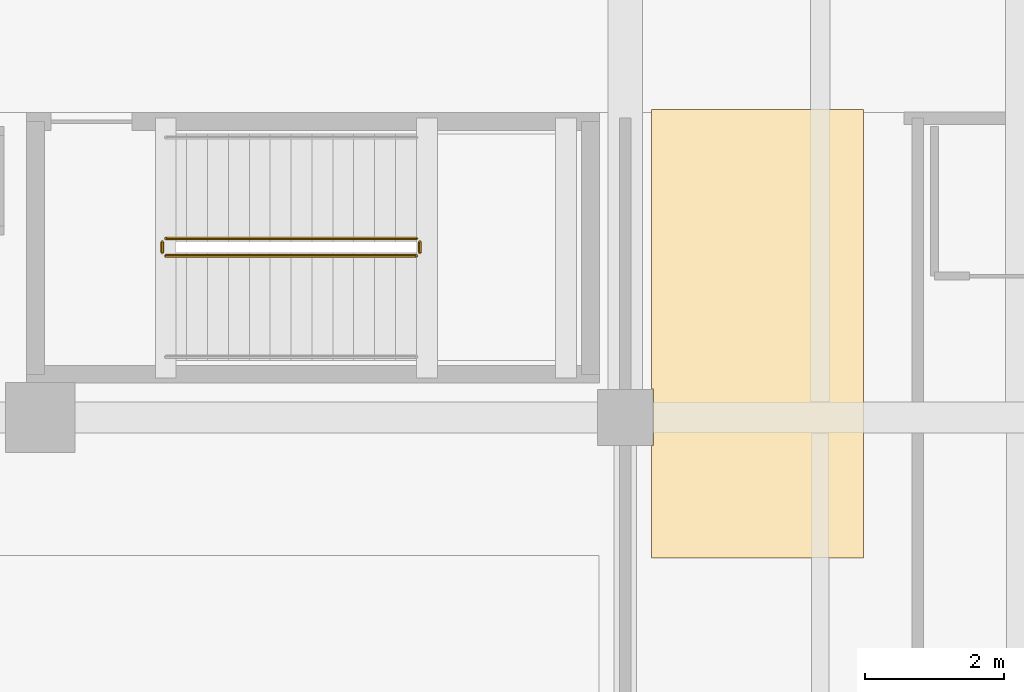
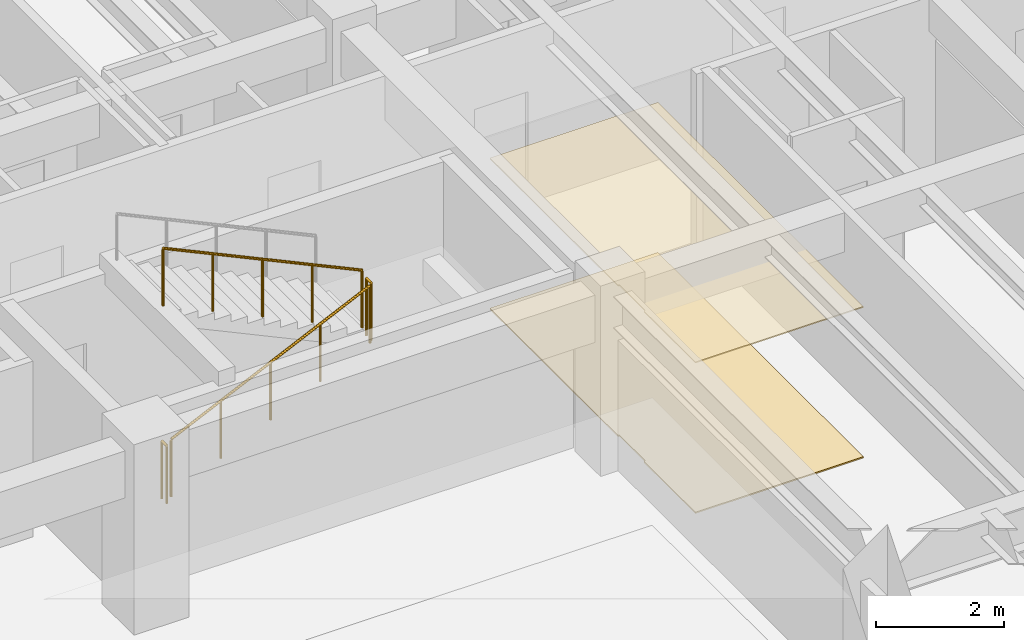
# One storey, part 102 of 118: 4 railings, 2 coverings.
"""IFC4 building model written with IfcOpenShell, lengths in metres."""

from ifc_helpers import new_model, si_unit, direction, frame, origin, origin_2d, place, context, subcontext, project, spatial, polyline, circle, outline, extrude, material, layer, layer_set, type_object, element, save


model = new_model("IFC4")

# Units and contexts
model_context = context("Model", 3, precision=1e-05, world=origin(), true_north=direction((0.0, 1.0)))
body_context = subcontext(model_context, "Body", "Model", "MODEL_VIEW")
ifc_project = project(units=[si_unit("LENGTHUNIT", "METRE"), si_unit("AREAUNIT", "SQUARE_METRE"), si_unit("VOLUMEUNIT", "CUBIC_METRE"), si_unit("PLANEANGLEUNIT", "RADIAN"), si_unit("MASSUNIT", "GRAM", prefix="KILO")], contexts=[model_context])

# Site, building, storey
site_placement = place(None, origin())
site = spatial("IfcSite", under=ifc_project, at=site_placement, CompositionType="ELEMENT")
building_placement = place(site_placement, origin())
building = spatial("IfcBuilding", under=site, at=building_placement, Name="Cumbredor Promenade Congress Hotel", CompositionType="ELEMENT")
storey_placement = place(building_placement, frame((0.0, 0.0, 3.919921875)))
storey = spatial("IfcBuildingStorey", under=building, at=storey_placement, Name="L01", CompositionType="ELEMENT", Elevation=3.919921875)

# Covering
ifc_material_1 = material(Name="Acoustic mineral-fiber and gypsum ceiling")
ifc_layer_1 = layer(ifc_material_1, 0.02197265625, Name="Acoustic mineral-fiber and gypsum ceiling")
ifc_layer_set_1 = layer_set([ifc_layer_1], Name="Acoustic mineral-fiber and gypsum ceiling")
covering_type_1 = type_object("IfcCoveringType", Name="Acoustic Perforated Gypsum Ceiling CLG-02 22mm", PredefinedType="CEILING", material=ifc_layer_set_1)
covering_1_placement = place(storey_placement, frame((0.0, 0.0, 2.8759765625)))
element("IfcCovering", 1, at=covering_1_placement, inside=storey, type_object=covering_type_1, Name="L01 Ballroom Corridor Vestibule Acoustic Ceiling", PredefinedType="CEILING", context=body_context, shape_type="SweptSolid", body=[
    extrude(outline(polyline([(50.780029296875, 100.39501953125), (50.804931640625, 100.39501953125), (50.804931640625, 101.205078125), (50.780029296875, 101.205078125), (50.780029296875, 105.219970703125), (53.820068359375, 105.219970703125), (53.820068359375, 98.780029296875), (50.780029296875, 98.780029296875), (50.780029296875, 100.39501953125)])), origin(), (0.0, 0.0, 1.0), 0.022216796875),
])

# Railings
ifc_material_2 = material(Name="Brushed stainless steel", Category="steel")
railing_type = type_object("IfcRailingType", Name="Interior Void & Stair Guardrail GR-1100", PredefinedType="GUARDRAIL", material=ifc_material_2)
railing_1_placement = place(storey_placement, frame((43.800048828125, 103.1201171875, 0.14013671875)))
element("IfcRailing", 2, at=railing_1_placement, inside=storey, type_object=railing_type, Name="L01 ST-03 stair guard 1", PredefinedType="GUARDRAIL", context=body_context, shape_type="SweptSolid", body=[
    extrude(circle(Radius=0.02392578125, at=origin_2d()), frame((0.0, 0.0, 1.09619140625), z_axis=(0.906183139995, 0.0, 0.422885465331), x_axis=(0.0, 1.0, 0.0)), (0.0, 0.0, 1.0), 3.97265625),
    extrude(circle(Radius=0.02099609375, at=origin_2d()), origin(), (0.0, 0.0, 1.0), 1.072021484375),
    extrude(circle(Radius=0.02099609375, at=origin_2d()), frame((0.89990234375, 0.0, 0.419921875)), (0.0, 0.0, 1.0), 1.072021484375),
    extrude(circle(Radius=0.02099609375, at=origin_2d()), frame((1.7998046875, 0.0, 0.83984375)), (0.0, 0.0, 1.0), 1.072021484375),
    extrude(circle(Radius=0.02099609375, at=origin_2d()), frame((2.699951171875, 0.0, 1.260009765625)), (0.0, 0.0, 1.0), 1.072021484375),
    extrude(circle(Radius=0.02099609375, at=origin_2d()), frame((3.599853515625, 0.0, 1.679931640625)), (0.0, 0.0, 1.0), 1.072021484375),
])
railing_2_placement = place(storey_placement, frame((47.449951171875, 103.169921875, 1.820068359375)))
element("IfcRailing", 3, at=railing_2_placement, inside=storey, type_object=railing_type, Name="L01 ST-03 stair guard 2", PredefinedType="GUARDRAIL", context=body_context, shape_type="SweptSolid", body=[
    extrude(circle(Radius=0.02392578125, at=origin_2d()), frame((0.0, 0.0, 1.09619140625), z_axis=(0.0, 1.0, 0.0), x_axis=(-1.0, 0.0, 0.0)), (0.0, 0.0, 1.0), 0.150146484375),
    extrude(circle(Radius=0.02099609375, at=origin_2d()), origin(), (0.0, 0.0, 1.0), 1.072021484375),
    extrude(circle(Radius=0.02099609375, at=origin_2d()), frame((0.0, 0.150146484375, 0.0)), (0.0, 0.0, 1.0), 1.072021484375),
])
railing_3_placement = place(storey_placement, frame((47.39990234375, 103.3701171875, 1.9599609375)))
element("IfcRailing", 4, at=railing_3_placement, inside=storey, type_object=railing_type, Name="L01 ST-03 stair guard 3", PredefinedType="GUARDRAIL", context=body_context, shape_type="SweptSolid", body=[
    extrude(circle(Radius=0.02392578125, at=origin_2d()), frame((0.0, 0.0, 1.09619140625), z_axis=(-0.90615958817, 0.0, 0.42293592986), x_axis=(0.0, -1.0, 0.0)), (0.0, 0.0, 1.0), 3.97265625),
    extrude(circle(Radius=0.02099609375, at=origin_2d()), origin(), (0.0, 0.0, 1.0), 1.072021484375),
    extrude(circle(Radius=0.02099609375, at=origin_2d()), frame((-0.89990234375, 0.0, 0.419921875)), (0.0, 0.0, 1.0), 1.072021484375),
    extrude(circle(Radius=0.02099609375, at=origin_2d()), frame((-1.7998046875, 0.0, 0.840087890625)), (0.0, 0.0, 1.0), 1.072021484375),
    extrude(circle(Radius=0.02099609375, at=origin_2d()), frame((-2.699951171875, 0.0, 1.26025390625)), (0.0, 0.0, 1.0), 1.072021484375),
    extrude(circle(Radius=0.02099609375, at=origin_2d()), frame((-3.599853515625, 0.0, 1.68017578125)), (0.0, 0.0, 1.0), 1.072021484375),
])
railing_4_placement = place(storey_placement, frame((43.75, 103.169921875, 0.0)))
element("IfcRailing", 5, at=railing_4_placement, inside=storey, type_object=railing_type, Name="L01 ST-03 stair guard 4", PredefinedType="GUARDRAIL", context=body_context, shape_type="SweptSolid", body=[
    extrude(circle(Radius=0.02392578125, at=origin_2d()), frame((0.0, 0.0, 1.09619140625), z_axis=(0.0, 1.0, 0.0), x_axis=(-1.0, 0.0, 0.0)), (0.0, 0.0, 1.0), 0.150146484375),
    extrude(circle(Radius=0.02099609375, at=origin_2d()), origin(), (0.0, 0.0, 1.0), 1.072021484375),
    extrude(circle(Radius=0.02099609375, at=origin_2d()), frame((0.0, 0.150146484375, 0.0)), (0.0, 0.0, 1.0), 1.072021484375),
])

# Covering
ifc_material_3 = material(Name="Porcelain stoneware tile", Category="masonry")
ifc_layer_2 = layer(ifc_material_3, 0.02490234375, Name="Porcelain stoneware tile", Category="masonry")
ifc_layer_set_2 = layer_set([ifc_layer_2], Name="Porcelain stoneware tile")
covering_type_2 = type_object("IfcCoveringType", Name="Porcelain Stoneware Flooring FLR-02 25mm", PredefinedType="FLOORING", material=ifc_layer_set_2)
covering_2_placement = place(storey_placement, origin())
element("IfcCovering", 6, at=covering_2_placement, inside=storey, type_object=covering_type_2, Name="L01 Ballroom Corridor Vestibule Porcelain Flooring", PredefinedType="FLOORING", context=body_context, shape_type="SweptSolid", body=[
    extrude(outline(polyline([(50.780029296875, 100.39501953125), (50.804931640625, 100.39501953125), (50.804931640625, 101.205078125), (50.780029296875, 101.205078125), (50.780029296875, 105.219970703125), (53.820068359375, 105.219970703125), (53.820068359375, 98.780029296875), (50.780029296875, 98.780029296875), (50.780029296875, 100.39501953125)])), origin(), (0.0, 0.0, 1.0), 0.025146484375),
])

save(model, "model.ifc")
